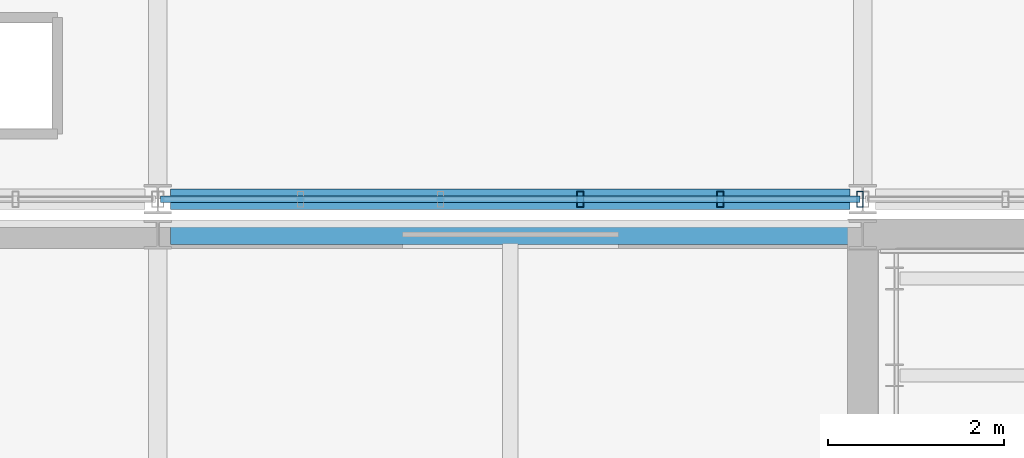
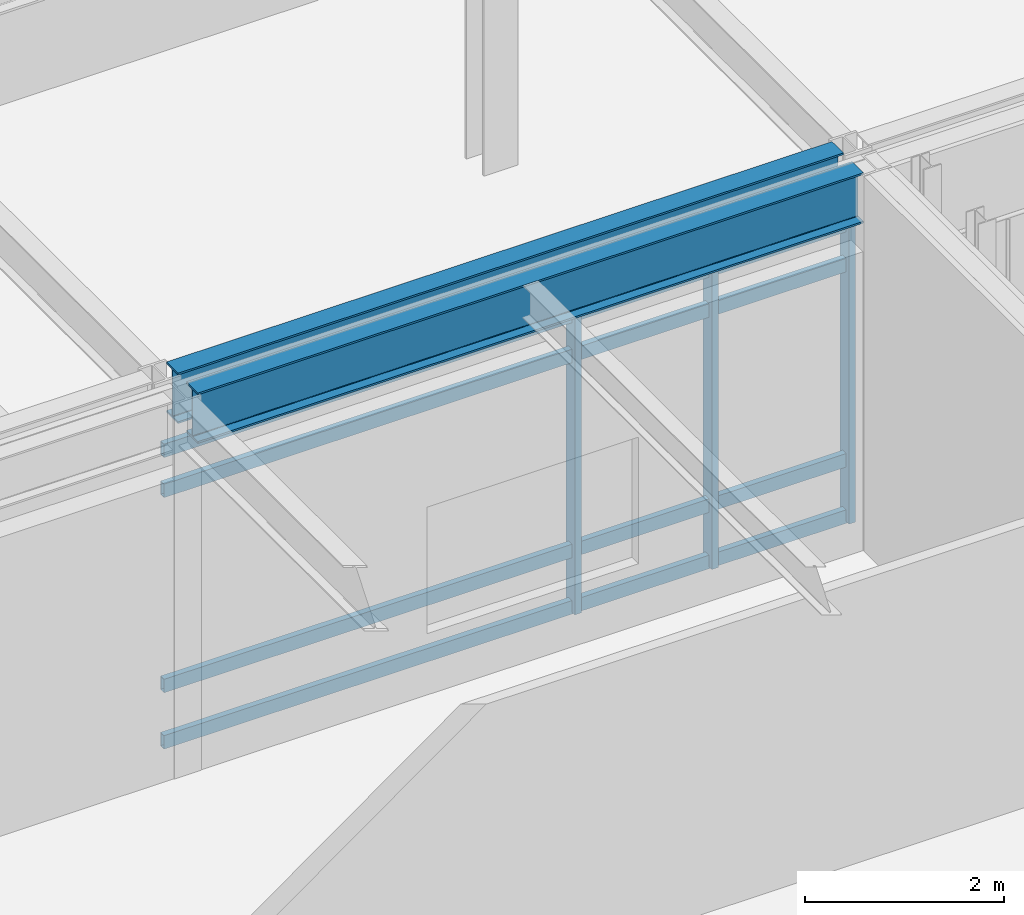
# One storey, part 66 of 104: 7 members, 2 beams, 1 element without a shape of its own.
"""IFC4 building model written with IfcOpenShell, lengths in metres."""

import ifcopenshell
import ifcopenshell.guid

model = None  # the IFC model being written
_history = None  # IfcOwnerHistory: only IFC2X3 demands one
_inside = {}  # id of a spatial element -> (the spatial element, [elements in it])
_under = {}  # id of a project, library or spatial element -> (it, [spatial elements below it])
_declared = {}  # id of a project -> (the project, [libraries it declares])
_typed = {}  # id of a type object -> (the type object, [elements of that type])
_made_of = {}  # id of a material, layer set ... -> (it, [elements and type objects made of it])


def new_model(schema):
    """Start an empty IFC model of exactly this schema.

    Asked for "IFC4X3", IfcOpenShell would pick the latest addendum, in which some entities
    have other attributes; the version numbers below select the first issue.
    IFC2X3 requires an IfcOwnerHistory on every rooted entity: one is made here for all.
    """
    global model, _history
    if schema == "IFC4X3":
        model = ifcopenshell.file(schema_version=(4, 3, 0, 0))
    else:
        model = ifcopenshell.file(schema=schema)
    _inside.clear()
    _under.clear()
    _declared.clear()
    _typed.clear()
    _made_of.clear()
    _history = None
    if model.schema == "IFC2X3":
        org = make("IfcOrganization", Name="unknown")
        user = make(
            "IfcPersonAndOrganization",
            ThePerson=make("IfcPerson", FamilyName="unknown"),
            TheOrganization=org,
        )
        app = make(
            "IfcApplication",
            ApplicationDeveloper=org,
            Version="unknown",
            ApplicationFullName="unknown",
            ApplicationIdentifier="unknown",
        )
        _history = make(
            "IfcOwnerHistory",
            OwningUser=user,
            OwningApplication=app,
            ChangeAction="ADDED",
            CreationDate=0,
        )
    return model


def make(cls, **values):
    """One entity of the class cls with the attributes given. An attribute that is None is left unset."""
    return model.create_entity(
        cls, **{name: value for name, value in values.items() if value is not None}
    )


def rooted(cls, **values):
    """An entity with a GlobalId (a new one), such as an element, a storey or a relation."""
    return make(cls, GlobalId=ifcopenshell.guid.new(), OwnerHistory=_history, **values)


def si_unit(unit_type, name, prefix=None):
    """IfcSIUnit, for example si_unit("LENGTHUNIT", "METRE", prefix="MILLI")."""
    return make("IfcSIUnit", UnitType=unit_type, Prefix=prefix, Name=name)


def assignment(units):
    """IfcUnitAssignment: the units of a project."""
    return None if units is None else make("IfcUnitAssignment", Units=units)


def point(xyz):
    """IfcCartesianPoint."""
    return None if xyz is None else make("IfcCartesianPoint", Coordinates=xyz)


def direction(xyz):
    """IfcDirection."""
    return None if xyz is None else make("IfcDirection", DirectionRatios=xyz)


def frame(location, z_axis=None, x_axis=None):
    """IfcAxis2Placement3D, a coordinate frame: its origin and axes. An axis left out is left unset."""
    return make(
        "IfcAxis2Placement3D",
        Location=point(location),
        Axis=direction(z_axis),
        RefDirection=direction(x_axis),
    )


def frame_2d(location, x_axis=None):
    """IfcAxis2Placement2D, a coordinate frame in the plane: its origin and x axis."""
    return make(
        "IfcAxis2Placement2D", Location=point(location), RefDirection=direction(x_axis)
    )


def origin():
    """The frame at (0, 0, 0) with its axes left unset."""
    return frame((0.0, 0.0, 0.0))


def origin_2d():
    """The frame at (0, 0) in the plane with its x axis left unset."""
    return frame_2d((0.0, 0.0))


def place(relative_to, where):
    """IfcLocalPlacement: puts the frame where relative to a parent placement (None: the world)."""
    return make(
        "IfcLocalPlacement", PlacementRelTo=relative_to, RelativePlacement=where
    )


def context(
    kind, dimensions, precision=None, world=None, true_north=None, identifier=None
):
    """IfcGeometricRepresentationContext, for example the 3D "Model" context."""
    return make(
        "IfcGeometricRepresentationContext",
        ContextIdentifier=identifier,
        ContextType=kind,
        CoordinateSpaceDimension=dimensions,
        Precision=precision,
        WorldCoordinateSystem=world,
        TrueNorth=true_north,
    )


def subcontext(parent, identifier, kind, view, scale=None):
    """IfcGeometricRepresentationSubContext, for example "Body" below "Model"."""
    return make(
        "IfcGeometricRepresentationSubContext",
        ContextIdentifier=identifier,
        ContextType=kind,
        ParentContext=parent,
        TargetScale=scale,
        TargetView=view,
    )


def project(units=None, contexts=None):
    """IfcProject with its units and contexts."""
    return rooted(
        "IfcProject",
        Name="project",
        RepresentationContexts=contexts,
        UnitsInContext=assignment(units),
    )


def spatial(cls, under=None, at=None, **own):
    """A site, building, storey or space (cls), placed at a placement, below another one or the project."""
    s = rooted(cls, ObjectPlacement=at, **own)
    if under is not None:
        _under.setdefault(under.id(), (under, []))[1].append(s)
    return s


def profile(cls, at=None, kind="AREA", **sizes):
    """A parametric profile (cls). Its sizes go by their IFC names, for example OverallWidth=200.0."""
    return make(cls, ProfileType=kind, Position=at, **sizes)


def hollow_rectangle(**sizes):
    """IfcRectangleHollowProfileDef."""
    return profile("IfcRectangleHollowProfileDef", **sizes)


def i_section(**sizes):
    """IfcIShapeProfileDef."""
    return profile("IfcIShapeProfileDef", **sizes)


def extrude(swept, where, along, depth):
    """IfcExtrudedAreaSolid: the profile swept, set in the frame where, extruded along a direction by depth."""
    return make(
        "IfcExtrudedAreaSolid",
        SweptArea=swept,
        Position=where,
        ExtrudedDirection=direction(along),
        Depth=depth,
    )


def shape(context_of_items, identifier, shape_type, items):
    """IfcShapeRepresentation: the items that make up one representation, for example the "Body"."""
    return make(
        "IfcShapeRepresentation",
        ContextOfItems=context_of_items,
        RepresentationIdentifier=identifier,
        RepresentationType=shape_type,
        Items=items,
    )


def material(Name=None, Category=None):
    """IfcMaterial."""
    return make("IfcMaterial", Name=Name, Category=Category)


def material_profile(
    of_material, cross_section, Name=None, Category=None, Priority=None
):
    """IfcMaterialProfile: a cross section and its material."""
    return make(
        "IfcMaterialProfile",
        Name=Name,
        Material=of_material,
        Profile=cross_section,
        Priority=Priority,
        Category=Category,
    )


def profile_set(profiles, Name=None, composite=None):
    """IfcMaterialProfileSet."""
    return make(
        "IfcMaterialProfileSet",
        Name=Name,
        MaterialProfiles=profiles,
        CompositeProfile=composite,
    )


def made_of(thing, what):
    """Note that an element or type object is made of a material, layer set ...; save() writes the relation."""
    if what is not None:
        _made_of.setdefault(what.id(), (what, []))[1].append(thing)
    return thing


def type_object(cls, material=None, **own):
    """A type object (cls), such as IfcWallType, which elements share."""
    return made_of(rooted(cls, **own), material)


def element(
    cls,
    number,
    at=None,
    inside=None,
    cuts=None,
    type_object=None,
    material=None,
    context=None,
    identifier="Body",
    shape_type=None,
    held_by="IfcProductDefinitionShape",
    body=None,
    shapes=None,
    **own,
):
    """One element of the class cls, such as IfcWall. Its Tag is "e" and its number.

    at: its placement. inside: the storey or other place that contains it. cuts: it is an
    opening in that element (IfcRelVoidsElement). A single representation is given by context,
    identifier, shape_type and body (its items); several are given by shapes. held_by: the class
    of the entity that holds the representations. save() writes the other relations.
    """
    e = rooted(cls, Tag="e%d" % number, ObjectPlacement=at, **own)
    if body is not None:
        shapes = [shape(context, identifier, shape_type, body)]
    if shapes is not None:
        e.Representation = make(held_by, Representations=shapes)
    if inside is not None:
        _inside.setdefault(inside.id(), (inside, []))[1].append(e)
    if cuts is not None:
        rooted(
            "IfcRelVoidsElement", RelatingBuildingElement=cuts, RelatedOpeningElement=e
        )
    if type_object is not None:
        _typed.setdefault(type_object.id(), (type_object, []))[1].append(e)
    return made_of(e, material)


def aggregate(whole, parts):
    """IfcRelAggregates: a whole, such as a stair, and the parts it consists of."""
    return rooted("IfcRelAggregates", RelatingObject=whole, RelatedObjects=parts)


def save(model, path):
    """Write the relations noted so far, then the file.

    IfcRelAggregates (storeys below a building ...), IfcRelContainedInSpatialStructure (elements
    in a storey), IfcRelDefinesByType, IfcRelAssociatesMaterial and IfcRelDeclares: one each for
    every whole, place, type object, material and project.
    """
    for whole, parts in _under.values():
        aggregate(whole, parts)
    for where, things in _inside.values():
        rooted(
            "IfcRelContainedInSpatialStructure",
            RelatedElements=things,
            RelatingStructure=where,
        )
    for kind, things in _typed.values():
        rooted("IfcRelDefinesByType", RelatedObjects=things, RelatingType=kind)
    for what, things in _made_of.values():
        rooted("IfcRelAssociatesMaterial", RelatedObjects=things, RelatingMaterial=what)
    for by, libraries in _declared.values():
        rooted("IfcRelDeclares", RelatingContext=by, RelatedDefinitions=libraries)
    model.write(path)


model = new_model("IFC4")

# Units and contexts
model_context = context("Model", 3, precision=1e-05, world=origin(), true_north=direction((0.0, 1.0)))
body_context = subcontext(model_context, "Body", "Model", "MODEL_VIEW")
ifc_project = project(units=[si_unit("LENGTHUNIT", "METRE"), si_unit("AREAUNIT", "SQUARE_METRE"), si_unit("VOLUMEUNIT", "CUBIC_METRE"), si_unit("PLANEANGLEUNIT", "RADIAN"), si_unit("MASSUNIT", "GRAM", prefix="KILO")], contexts=[model_context])

# Site, building, storey
site_placement = place(None, origin())
site = spatial("IfcSite", under=ifc_project, at=site_placement, CompositionType="ELEMENT")
building_placement = place(site_placement, origin())
building = spatial("IfcBuilding", under=site, at=building_placement, Name="Zulena Civic Courthouse", CompositionType="ELEMENT")
storey_placement = place(building_placement, frame((0.0, 0.0, 10.800048828125)))
storey = spatial("IfcBuildingStorey", under=building, at=storey_placement, Name="L02", CompositionType="ELEMENT", Elevation=10.800048828125)

# Curtain wall, members
ifc_material_1 = material(Name="Double-silver low-E laminated solar-control glass", Category="glass")
curtain_wall_type = type_object("IfcCurtainWallType", Name="CW_7940x3690", PredefinedType="USERDEFINED", material=ifc_material_1)
curtain_wall_placement = place(storey_placement, origin())
curtain_wall = element("IfcCurtainWall", 1, at=curtain_wall_placement, inside=storey, type_object=curtain_wall_type, Name="cw:V3:L02:3:1", ObjectType="UNITISED CURTAIN WALL", PredefinedType="USERDEFINED")
ifc_material_2 = material(Name="Bronze anodised thermally broken aluminium AA6063-T6", Category="aluminium")
ifc_material_profile_1 = material_profile(ifc_material_2, hollow_rectangle(XDim=0.074951171875, YDim=0.179931640625, WallThickness=0.0048828125, at=origin_2d()), Name="CWM180X75X5")
ifc_profile_set_1 = profile_set([ifc_material_profile_1], Name="Bronze anodised thermally broken aluminium AA6063-T6")
member_type_1 = type_object("IfcMemberType", Name="CWMullion_180x75", PredefinedType="MULLION", material=ifc_profile_set_1)
member_1_placement = place(storey_placement, frame((163.969970703125, 30.800048828125, 0.0), z_axis=(0.0, 0.0, 1.0), x_axis=(1.0, 0.0, 0.0)))
member_1 = element("IfcMember", 2, at=member_1_placement, type_object=member_type_1, Name="cw:V3:L02:3:1:mull:0", PredefinedType="MULLION", context=body_context, shape_type="SweptSolid", body=[
    extrude(hollow_rectangle(XDim=0.074951171875, YDim=0.179931640625, WallThickness=0.0048828125, at=origin_2d()), origin(), (0.0, 0.0, 1.0), 3.68994140625),
])
member_2_placement = place(storey_placement, frame((162.382080078125, 30.800048828125, 0.0), z_axis=(0.0, 0.0, 1.0), x_axis=(1.0, 0.0, 0.0)))
member_2 = element("IfcMember", 3, at=member_2_placement, type_object=member_type_1, Name="cw:V3:L02:3:1:mull:1", PredefinedType="MULLION", context=body_context, shape_type="SweptSolid", body=[
    extrude(hollow_rectangle(XDim=0.074951171875, YDim=0.179931640625, WallThickness=0.0048828125, at=origin_2d()), origin(), (0.0, 0.0, 1.0), 3.68994140625),
])
member_3_placement = place(storey_placement, frame((160.7939453125, 30.800048828125, 0.0), z_axis=(0.0, 0.0, 1.0), x_axis=(1.0, 0.0, 0.0)))
member_3 = element("IfcMember", 4, at=member_3_placement, type_object=member_type_1, Name="cw:V3:L02:3:1:mull:2", PredefinedType="MULLION", context=body_context, shape_type="SweptSolid", body=[
    extrude(hollow_rectangle(XDim=0.074951171875, YDim=0.179931640625, WallThickness=0.0048828125, at=origin_2d()), origin(), (0.0, 0.0, 1.0), 3.68994140625),
])
ifc_material_profile_2 = material_profile(ifc_material_2, hollow_rectangle(XDim=0.070068359375, YDim=0.1650390625, WallThickness=0.00390625, at=origin_2d()), Name="CWT165X70X4")
ifc_profile_set_2 = profile_set([ifc_material_profile_2], Name="Bronze anodised thermally broken aluminium AA6063-T6")
member_type_2 = type_object("IfcMemberType", Name="CWTransom_165x70", PredefinedType="USERDEFINED", material=ifc_profile_set_2)
member_4_placement = place(storey_placement, frame((163.969970703125, 30.800048828125, 0.06005859375), z_axis=(-1.0, 0.0, 0.0), x_axis=(0.0, -1.0, 0.0)))
member_4 = element("IfcMember", 5, at=member_4_placement, type_object=member_type_2, Name="cw:V3:L02:3:1:tran:0", ObjectType="TRANSOM", PredefinedType="USERDEFINED", context=body_context, shape_type="SweptSolid", body=[
    extrude(hollow_rectangle(XDim=0.070068359375, YDim=0.1650390625, WallThickness=0.00390625, at=origin_2d()), origin(), (0.0, 0.0, 1.0), 7.93994140625),
])
member_5_placement = place(storey_placement, frame((163.969970703125, 30.800048828125, 0.75), z_axis=(-1.0, 0.0, 0.0), x_axis=(0.0, -1.0, 0.0)))
member_5 = element("IfcMember", 6, at=member_5_placement, type_object=member_type_2, Name="cw:V3:L02:3:1:tran:1", ObjectType="TRANSOM", PredefinedType="USERDEFINED", context=body_context, shape_type="SweptSolid", body=[
    extrude(hollow_rectangle(XDim=0.070068359375, YDim=0.1650390625, WallThickness=0.00390625, at=origin_2d()), origin(), (0.0, 0.0, 1.0), 7.93994140625),
])
member_6_placement = place(storey_placement, frame((163.969970703125, 30.800048828125, 3.139892578125), z_axis=(-1.0, 0.0, 0.0), x_axis=(0.0, -1.0, 0.0)))
member_6 = element("IfcMember", 7, at=member_6_placement, type_object=member_type_2, Name="cw:V3:L02:3:1:tran:2", ObjectType="TRANSOM", PredefinedType="USERDEFINED", context=body_context, shape_type="SweptSolid", body=[
    extrude(hollow_rectangle(XDim=0.070068359375, YDim=0.1650390625, WallThickness=0.00390625, at=origin_2d()), origin(), (0.0, 0.0, 1.0), 7.93994140625),
])
member_7_placement = place(storey_placement, frame((163.969970703125, 30.800048828125, 3.6298828125), z_axis=(-1.0, 0.0, 0.0), x_axis=(0.0, -1.0, 0.0)))
member_7 = element("IfcMember", 8, at=member_7_placement, type_object=member_type_2, Name="cw:V3:L02:3:1:tran:3", ObjectType="TRANSOM", PredefinedType="USERDEFINED", context=body_context, shape_type="SweptSolid", body=[
    extrude(hollow_rectangle(XDim=0.070068359375, YDim=0.1650390625, WallThickness=0.00390625, at=origin_2d()), origin(), (0.0, 0.0, 1.0), 7.93994140625),
])
aggregate(curtain_wall, [member_1, member_2, member_3, member_4, member_5, member_6, member_7])

# Beams
ifc_material_3 = material(Name="Steel ASTM A992 Grade 50", Category="steel")
ifc_material_profile_3 = material_profile(ifc_material_3, i_section(OverallWidth=0.22998046875, OverallDepth=0.616943359375, WebThickness=0.01318359375, FlangeThickness=0.022216796875, FilletRadius=0.0126953125, at=origin_2d()), Name="W24X94")
ifc_profile_set_3 = profile_set([ifc_material_profile_3], Name="Steel ASTM A992 Grade 50")
beam_type = type_object("IfcBeamType", Name="Spandrel_W24X94", PredefinedType="SPANDREL", material=ifc_profile_set_3)
for number, where, z_axis, x_axis, name in (
    (9, (156.14501953125, 30.39990234375, 4.281494140625), (1.0, 0.0, 0.0), (0.0, 1.0, 0.0), "beam:X:V1:L02:30.4:156.0_164.0"),
    (10, (156.14501953125, 30.800048828125, 4.281494140625), (1.0, 0.0, 0.0), (0.0, 1.0, 0.0), "beam:X:V3:L02:30.8:156.0_164.0"),
):
    element("IfcBeam", number, at=place(storey_placement, frame(where, z_axis=z_axis, x_axis=x_axis)), inside=storey, type_object=beam_type, Name=name, PredefinedType="SPANDREL", context=body_context, shape_type="SweptSolid", body=[
        extrude(i_section(OverallWidth=0.22998046875, OverallDepth=0.616943359375, WebThickness=0.01318359375, FlangeThickness=0.022216796875, FilletRadius=0.0126953125, at=origin_2d()), origin(), (0.0, 0.0, 1.0), 7.7099609375),
    ])

save(model, "model.ifc")
